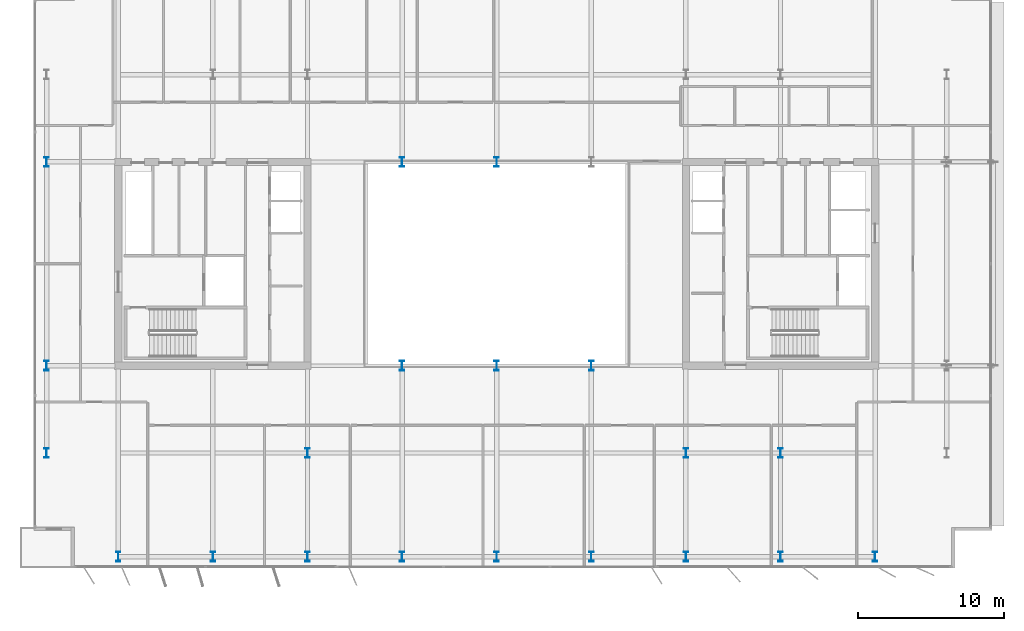
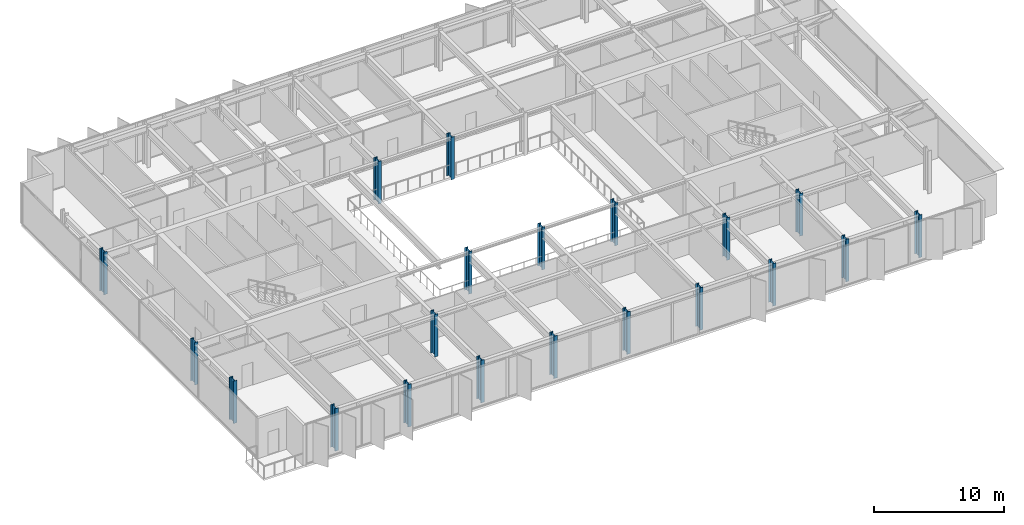
# One storey, part 1 of 20: 20 columns.
"""IFC4 building model written with IfcOpenShell, lengths in metres."""

from ifc_helpers import new_model, si_unit, direction, frame, origin, origin_2d, place, context, subcontext, project, spatial, i_section, extrude, material, material_profile, profile_set, type_object, element, save


model = new_model("IFC4")

# Units and contexts
model_context = context("Model", 3, precision=1e-05, world=origin(), true_north=direction((0.0, 1.0)))
body_context = subcontext(model_context, "Body", "Model", "MODEL_VIEW")
ifc_project = project(units=[si_unit("LENGTHUNIT", "METRE"), si_unit("AREAUNIT", "SQUARE_METRE"), si_unit("VOLUMEUNIT", "CUBIC_METRE"), si_unit("PLANEANGLEUNIT", "RADIAN"), si_unit("MASSUNIT", "GRAM", prefix="KILO")], contexts=[model_context])

# Site, building, storey
site_placement = place(None, origin())
site = spatial("IfcSite", under=ifc_project, at=site_placement, CompositionType="ELEMENT")
building_placement = place(site_placement, origin())
building = spatial("IfcBuilding", under=site, at=building_placement, Name="Putna Gate Headquarters", CompositionType="ELEMENT")
storey_placement = place(building_placement, frame((0.0, 0.0, 286.39990234375)))
storey = spatial("IfcBuildingStorey", under=building, at=storey_placement, Name="L72", CompositionType="ELEMENT", Elevation=286.39990234375)

# Columns
ifc_material = material(Name="Steel S460M", Category="steel")
ifc_material_profile_1 = material_profile(ifc_material, i_section(OverallWidth=0.304931640625, OverallDepth=0.66796875, WebThickness=0.02099609375, FlangeThickness=0.0400390625, at=origin_2d()), Name="Steel S460M")
ifc_profile_set_1 = profile_set([ifc_material_profile_1], Name="Steel S460M")
column_type_1 = type_object("IfcColumnType", Name="COL-STL-HEM650-EXT", PredefinedType="COLUMN", material=ifc_profile_set_1)
for number, where, z_axis, x_axis, name in (
    (1, (13.0, 5.8798828125, 0.0), (0.0, 0.0, 1.0), (1.0, 0.0, 0.0), "L72 Column CP-S13"),
    (2, (19.5, 5.8798828125, 0.0), (0.0, 0.0, 1.0), (1.0, 0.0, 0.0), "L72 Column CP-S19"),
    (3, (26.0, 5.8798828125, 0.0), (0.0, 0.0, 1.0), (1.0, 0.0, 0.0), "L72 Column CP-S26"),
    (4, (32.5, 5.8798828125, 0.0), (0.0, 0.0, 1.0), (1.0, 0.0, 0.0), "L72 Column CP-S32"),
    (5, (39.0, 5.8798828125, 0.0), (0.0, 0.0, 1.0), (1.0, 0.0, 0.0), "L72 Column CP-S39"),
    (6, (45.5, 5.8798828125, 0.0), (0.0, 0.0, 1.0), (1.0, 0.0, 0.0), "L72 Column CP-S45"),
    (7, (52.0, 5.8798828125, 0.0), (0.0, 0.0, 1.0), (1.0, 0.0, 0.0), "L72 Column CP-S52"),
    (8, (58.5, 5.8798828125, 0.0), (0.0, 0.0, 1.0), (1.0, 0.0, 0.0), "L72 Column CP-S58"),
    (9, (65.0, 5.8798828125, 0.0), (0.0, 0.0, 1.0), (1.0, 0.0, 0.0), "L72 Column CP-S65"),
    (10, (8.080078125, 13.0, 0.0), (0.0, 0.0, 1.0), (1.0, 0.0, 0.0), "L72 Column CP-W13"),
    (11, (8.080078125, 19.0, 0.0), (0.0, 0.0, 1.0), (1.0, 0.0, 0.0), "L72 Column CP-W19"),
    (12, (8.080078125, 33.0, 0.0), (0.0, 0.0, 1.0), (1.0, 0.0, 0.0), "L72 Column CP-W33"),
):
    element("IfcColumn", number, at=place(storey_placement, frame(where, z_axis=z_axis, x_axis=x_axis)), inside=storey, type_object=column_type_1, Name=name, PredefinedType="COLUMN", context=body_context, shape_type="SweptSolid", body=[
        extrude(i_section(OverallWidth=0.304931640625, OverallDepth=0.66796875, WebThickness=0.02099609375, FlangeThickness=0.0400390625, at=origin_2d()), origin(), (0.0, 0.0, 1.0), 4.0),
    ])
ifc_material_profile_2 = material_profile(ifc_material, i_section(OverallWidth=0.304931640625, OverallDepth=0.66796875, WebThickness=0.02099609375, FlangeThickness=0.0400390625, at=origin_2d()), Name="Steel S460M")
ifc_profile_set_2 = profile_set([ifc_material_profile_2], Name="Steel S460M")
column_type_2 = type_object("IfcColumnType", Name="COL-STL-HEM650-INT", PredefinedType="COLUMN", material=ifc_profile_set_2)
for number, where, z_axis, x_axis, name in (
    (13, (58.5, 13.0, 0.0), (0.0, 0.0, 1.0), (1.0, 0.0, 0.0), "L72 Column CSI-ES"),
    (14, (32.5, 19.0, 0.0), (0.0, 0.0, 1.0), (1.0, 0.0, 0.0), "L72 Column CAI-S32"),
    (15, (32.5, 33.0, 0.0), (0.0, 0.0, 1.0), (1.0, 0.0, 0.0), "L72 Column CAI-N32"),
    (16, (39.0, 19.0, 0.0), (0.0, 0.0, 1.0), (1.0, 0.0, 0.0), "L72 Column CAI-S39"),
    (17, (39.0, 33.0, 0.0), (0.0, 0.0, 1.0), (1.0, 0.0, 0.0), "L72 Column CAI-N39"),
    (18, (45.5, 19.0, 0.0), (0.0, 0.0, 1.0), (1.0, 0.0, 0.0), "L72 Column CAI-S45"),
    (19, (26.0, 13.0, 0.0), (0.0, 0.0, 1.0), (1.0, 0.0, 0.0), "L72 Column CAP-WS"),
    (20, (52.0, 13.0, 0.0), (0.0, 0.0, 1.0), (1.0, 0.0, 0.0), "L72 Column CAP-ES"),
):
    element("IfcColumn", number, at=place(storey_placement, frame(where, z_axis=z_axis, x_axis=x_axis)), inside=storey, type_object=column_type_2, Name=name, PredefinedType="COLUMN", context=body_context, shape_type="SweptSolid", body=[
        extrude(i_section(OverallWidth=0.304931640625, OverallDepth=0.66796875, WebThickness=0.02099609375, FlangeThickness=0.0400390625, at=origin_2d()), origin(), (0.0, 0.0, 1.0), 4.0),
    ])

save(model, "model.ifc")
